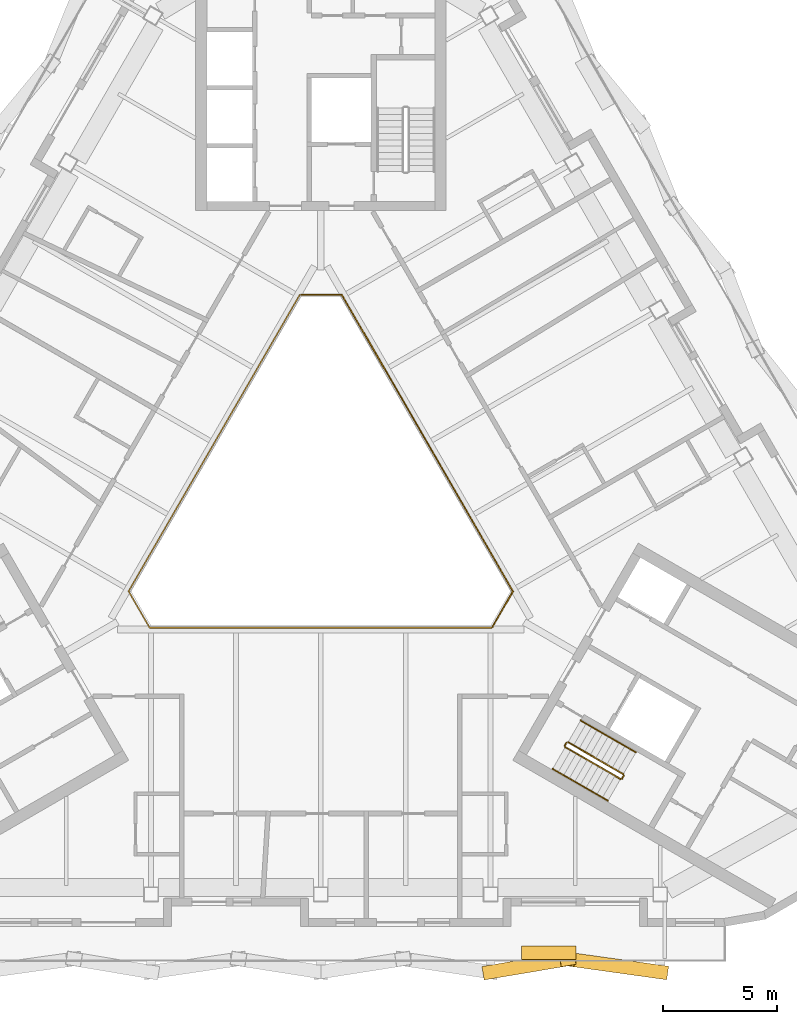
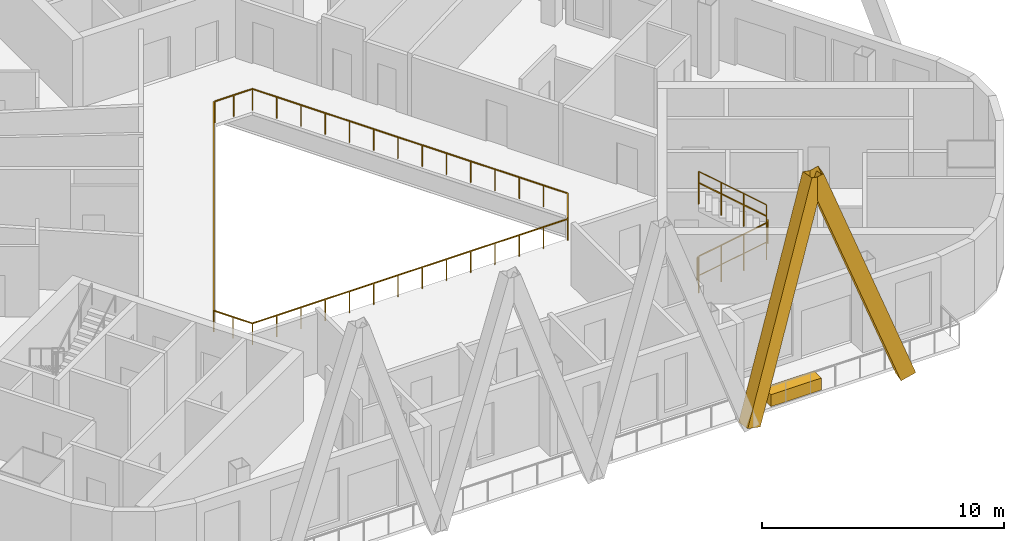
# One storey, part 12 of 14: 8 railings, 2 shading devices, 1 covering.
"""IFC4 building model written with IfcOpenShell, lengths in metres."""

import ifcopenshell
import ifcopenshell.guid

model = None  # the IFC model being written
_history = None  # IfcOwnerHistory: only IFC2X3 demands one
_inside = {}  # id of a spatial element -> (the spatial element, [elements in it])
_under = {}  # id of a project, library or spatial element -> (it, [spatial elements below it])
_declared = {}  # id of a project -> (the project, [libraries it declares])
_typed = {}  # id of a type object -> (the type object, [elements of that type])
_made_of = {}  # id of a material, layer set ... -> (it, [elements and type objects made of it])


def new_model(schema):
    """Start an empty IFC model of exactly this schema.

    Asked for "IFC4X3", IfcOpenShell would pick the latest addendum, in which some entities
    have other attributes; the version numbers below select the first issue.
    IFC2X3 requires an IfcOwnerHistory on every rooted entity: one is made here for all.
    """
    global model, _history
    if schema == "IFC4X3":
        model = ifcopenshell.file(schema_version=(4, 3, 0, 0))
    else:
        model = ifcopenshell.file(schema=schema)
    _inside.clear()
    _under.clear()
    _declared.clear()
    _typed.clear()
    _made_of.clear()
    _history = None
    if model.schema == "IFC2X3":
        org = make("IfcOrganization", Name="unknown")
        user = make(
            "IfcPersonAndOrganization",
            ThePerson=make("IfcPerson", FamilyName="unknown"),
            TheOrganization=org,
        )
        app = make(
            "IfcApplication",
            ApplicationDeveloper=org,
            Version="unknown",
            ApplicationFullName="unknown",
            ApplicationIdentifier="unknown",
        )
        _history = make(
            "IfcOwnerHistory",
            OwningUser=user,
            OwningApplication=app,
            ChangeAction="ADDED",
            CreationDate=0,
        )
    return model


def make(cls, **values):
    """One entity of the class cls with the attributes given. An attribute that is None is left unset."""
    return model.create_entity(
        cls, **{name: value for name, value in values.items() if value is not None}
    )


def rooted(cls, **values):
    """An entity with a GlobalId (a new one), such as an element, a storey or a relation."""
    return make(cls, GlobalId=ifcopenshell.guid.new(), OwnerHistory=_history, **values)


def si_unit(unit_type, name, prefix=None):
    """IfcSIUnit, for example si_unit("LENGTHUNIT", "METRE", prefix="MILLI")."""
    return make("IfcSIUnit", UnitType=unit_type, Prefix=prefix, Name=name)


def assignment(units):
    """IfcUnitAssignment: the units of a project."""
    return None if units is None else make("IfcUnitAssignment", Units=units)


def point(xyz):
    """IfcCartesianPoint."""
    return None if xyz is None else make("IfcCartesianPoint", Coordinates=xyz)


def direction(xyz):
    """IfcDirection."""
    return None if xyz is None else make("IfcDirection", DirectionRatios=xyz)


def frame(location, z_axis=None, x_axis=None):
    """IfcAxis2Placement3D, a coordinate frame: its origin and axes. An axis left out is left unset."""
    return make(
        "IfcAxis2Placement3D",
        Location=point(location),
        Axis=direction(z_axis),
        RefDirection=direction(x_axis),
    )


def frame_2d(location, x_axis=None):
    """IfcAxis2Placement2D, a coordinate frame in the plane: its origin and x axis."""
    return make(
        "IfcAxis2Placement2D", Location=point(location), RefDirection=direction(x_axis)
    )


def origin():
    """The frame at (0, 0, 0) with its axes left unset."""
    return frame((0.0, 0.0, 0.0))


def origin_2d():
    """The frame at (0, 0) in the plane with its x axis left unset."""
    return frame_2d((0.0, 0.0))


def place(relative_to, where):
    """IfcLocalPlacement: puts the frame where relative to a parent placement (None: the world)."""
    return make(
        "IfcLocalPlacement", PlacementRelTo=relative_to, RelativePlacement=where
    )


def context(
    kind, dimensions, precision=None, world=None, true_north=None, identifier=None
):
    """IfcGeometricRepresentationContext, for example the 3D "Model" context."""
    return make(
        "IfcGeometricRepresentationContext",
        ContextIdentifier=identifier,
        ContextType=kind,
        CoordinateSpaceDimension=dimensions,
        Precision=precision,
        WorldCoordinateSystem=world,
        TrueNorth=true_north,
    )


def subcontext(parent, identifier, kind, view, scale=None):
    """IfcGeometricRepresentationSubContext, for example "Body" below "Model"."""
    return make(
        "IfcGeometricRepresentationSubContext",
        ContextIdentifier=identifier,
        ContextType=kind,
        ParentContext=parent,
        TargetScale=scale,
        TargetView=view,
    )


def project(units=None, contexts=None):
    """IfcProject with its units and contexts."""
    return rooted(
        "IfcProject",
        Name="project",
        RepresentationContexts=contexts,
        UnitsInContext=assignment(units),
    )


def spatial(cls, under=None, at=None, **own):
    """A site, building, storey or space (cls), placed at a placement, below another one or the project."""
    s = rooted(cls, ObjectPlacement=at, **own)
    if under is not None:
        _under.setdefault(under.id(), (under, []))[1].append(s)
    return s


def profile(cls, at=None, kind="AREA", **sizes):
    """A parametric profile (cls). Its sizes go by their IFC names, for example OverallWidth=200.0."""
    return make(cls, ProfileType=kind, Position=at, **sizes)


def rectangle(**sizes):
    """IfcRectangleProfileDef."""
    return profile("IfcRectangleProfileDef", **sizes)


def hollow_rectangle(**sizes):
    """IfcRectangleHollowProfileDef."""
    return profile("IfcRectangleHollowProfileDef", **sizes)


def circle(**sizes):
    """IfcCircleProfileDef."""
    return profile("IfcCircleProfileDef", **sizes)


def extrude(swept, where, along, depth):
    """IfcExtrudedAreaSolid: the profile swept, set in the frame where, extruded along a direction by depth."""
    return make(
        "IfcExtrudedAreaSolid",
        SweptArea=swept,
        Position=where,
        ExtrudedDirection=direction(along),
        Depth=depth,
    )


def shape(context_of_items, identifier, shape_type, items):
    """IfcShapeRepresentation: the items that make up one representation, for example the "Body"."""
    return make(
        "IfcShapeRepresentation",
        ContextOfItems=context_of_items,
        RepresentationIdentifier=identifier,
        RepresentationType=shape_type,
        Items=items,
    )


def material(Name=None, Category=None):
    """IfcMaterial."""
    return make("IfcMaterial", Name=Name, Category=Category)


def material_profile(
    of_material, cross_section, Name=None, Category=None, Priority=None
):
    """IfcMaterialProfile: a cross section and its material."""
    return make(
        "IfcMaterialProfile",
        Name=Name,
        Material=of_material,
        Profile=cross_section,
        Priority=Priority,
        Category=Category,
    )


def profile_set(profiles, Name=None, composite=None):
    """IfcMaterialProfileSet."""
    return make(
        "IfcMaterialProfileSet",
        Name=Name,
        MaterialProfiles=profiles,
        CompositeProfile=composite,
    )


def made_of(thing, what):
    """Note that an element or type object is made of a material, layer set ...; save() writes the relation."""
    if what is not None:
        _made_of.setdefault(what.id(), (what, []))[1].append(thing)
    return thing


def type_object(cls, material=None, **own):
    """A type object (cls), such as IfcWallType, which elements share."""
    return made_of(rooted(cls, **own), material)


def element(
    cls,
    number,
    at=None,
    inside=None,
    cuts=None,
    type_object=None,
    material=None,
    context=None,
    identifier="Body",
    shape_type=None,
    held_by="IfcProductDefinitionShape",
    body=None,
    shapes=None,
    **own,
):
    """One element of the class cls, such as IfcWall. Its Tag is "e" and its number.

    at: its placement. inside: the storey or other place that contains it. cuts: it is an
    opening in that element (IfcRelVoidsElement). A single representation is given by context,
    identifier, shape_type and body (its items); several are given by shapes. held_by: the class
    of the entity that holds the representations. save() writes the other relations.
    """
    e = rooted(cls, Tag="e%d" % number, ObjectPlacement=at, **own)
    if body is not None:
        shapes = [shape(context, identifier, shape_type, body)]
    if shapes is not None:
        e.Representation = make(held_by, Representations=shapes)
    if inside is not None:
        _inside.setdefault(inside.id(), (inside, []))[1].append(e)
    if cuts is not None:
        rooted(
            "IfcRelVoidsElement", RelatingBuildingElement=cuts, RelatedOpeningElement=e
        )
    if type_object is not None:
        _typed.setdefault(type_object.id(), (type_object, []))[1].append(e)
    return made_of(e, material)


def aggregate(whole, parts):
    """IfcRelAggregates: a whole, such as a stair, and the parts it consists of."""
    return rooted("IfcRelAggregates", RelatingObject=whole, RelatedObjects=parts)


def save(model, path):
    """Write the relations noted so far, then the file.

    IfcRelAggregates (storeys below a building ...), IfcRelContainedInSpatialStructure (elements
    in a storey), IfcRelDefinesByType, IfcRelAssociatesMaterial and IfcRelDeclares: one each for
    every whole, place, type object, material and project.
    """
    for whole, parts in _under.values():
        aggregate(whole, parts)
    for where, things in _inside.values():
        rooted(
            "IfcRelContainedInSpatialStructure",
            RelatedElements=things,
            RelatingStructure=where,
        )
    for kind, things in _typed.values():
        rooted("IfcRelDefinesByType", RelatedObjects=things, RelatingType=kind)
    for what, things in _made_of.values():
        rooted("IfcRelAssociatesMaterial", RelatedObjects=things, RelatingMaterial=what)
    for by, libraries in _declared.values():
        rooted("IfcRelDeclares", RelatingContext=by, RelatedDefinitions=libraries)
    model.write(path)


model = new_model("IFC4")

# Units and contexts
model_context = context("Model", 3, precision=1e-05, world=origin(), true_north=direction((0.0, 1.0)))
body_context = subcontext(model_context, "Body", "Model", "MODEL_VIEW")
ifc_project = project(units=[si_unit("LENGTHUNIT", "METRE"), si_unit("AREAUNIT", "SQUARE_METRE"), si_unit("VOLUMEUNIT", "CUBIC_METRE"), si_unit("PLANEANGLEUNIT", "RADIAN"), si_unit("MASSUNIT", "GRAM", prefix="KILO")], contexts=[model_context])

# Site, building, storey
site_placement = place(None, origin())
site = spatial("IfcSite", under=ifc_project, at=site_placement, CompositionType="ELEMENT")
building_placement = place(site_placement, origin())
building = spatial("IfcBuilding", under=site, at=building_placement, Name="Apuvela Tower Hotel", CompositionType="ELEMENT")
storey_placement = place(building_placement, frame((0.0, 0.0, 268.89990234375)))
storey = spatial("IfcBuildingStorey", under=building, at=storey_placement, Name="L66", CompositionType="ELEMENT", Elevation=268.89990234375)

# Railings
ifc_material_1 = material(Name="Steel S275 balustrade", Category="steel")
railing_type_1 = type_object("IfcRailingType", Name="COR-GUARD-1100", PredefinedType="GUARDRAIL", material=ifc_material_1)
railing_1_placement = place(storey_placement, frame((10.718994140625, -10.63427734375, 0.168212890625)))
element("IfcRailing", 1, at=railing_1_placement, inside=storey, type_object=railing_type_1, Name="L66 ST3 stair guard 1", PredefinedType="GUARDRAIL", context=body_context, shape_type="SweptSolid", body=[
    extrude(rectangle(XDim=0.048095703125, YDim=0.048095703125, at=origin_2d()), frame((0.0, 0.0, 1.076171875), z_axis=(0.742390482028, -0.42860119049, 0.514934356695), x_axis=(0.49998411664, 0.866034573852, 0.0)), (0.0, 0.0, 1.0), 3.26611328125),
    extrude(rectangle(XDim=0.0419921875, YDim=0.0419921875, at=origin_2d()), origin(), (0.0, 0.0, 1.0), 1.052001953125),
    extrude(rectangle(XDim=0.0419921875, YDim=0.0419921875, at=origin_2d()), frame((0.808349609375, -0.466552734375, 0.560546875)), (0.0, 0.0, 1.0), 1.052001953125),
    extrude(rectangle(XDim=0.0419921875, YDim=0.0419921875, at=origin_2d()), frame((1.616455078125, -0.933349609375, 1.121337890625)), (0.0, 0.0, 1.0), 1.052001953125),
    extrude(rectangle(XDim=0.0419921875, YDim=0.0419921875, at=origin_2d()), frame((2.4248046875, -1.39990234375, 1.681884765625)), (0.0, 0.0, 1.0), 1.052001953125),
])
railing_2_placement = place(storey_placement, frame((13.212158203125, -12.015869140625, 1.85009765625)))
element("IfcRailing", 2, at=railing_2_placement, inside=storey, type_object=railing_type_1, Name="L66 ST3 stair guard 2", PredefinedType="GUARDRAIL", context=body_context, shape_type="SweptSolid", body=[
    extrude(rectangle(XDim=0.048095703125, YDim=0.048095703125, at=origin_2d()), frame((0.0, 0.0, 1.076171875), z_axis=(0.499816412211, 0.866131372301, 0.0), x_axis=(-0.866131372301, 0.499816412211, 0.0)), (0.0, 0.0, 1.0), 0.14990234375),
    extrude(rectangle(XDim=0.0419921875, YDim=0.0419921875, at=origin_2d()), origin(), (0.0, 0.0, 1.0), 1.052001953125),
    extrude(rectangle(XDim=0.0419921875, YDim=0.0419921875, at=origin_2d()), frame((0.074951171875, 0.1298828125, 0.0)), (0.0, 0.0, 1.0), 1.052001953125),
])
railing_3_placement = place(storey_placement, frame((13.268798828125, -11.817626953125, 2.018310546875)))
element("IfcRailing", 3, at=railing_3_placement, inside=storey, type_object=railing_type_1, Name="L66 ST3 stair guard 3", PredefinedType="GUARDRAIL", context=body_context, shape_type="SweptSolid", body=[
    extrude(rectangle(XDim=0.048095703125, YDim=0.048095703125, at=origin_2d()), frame((0.0, 0.0, 1.076171875), z_axis=(-0.742390482028, 0.42860119049, 0.514934356695), x_axis=(-0.49998411664, -0.866034573852, 0.0)), (0.0, 0.0, 1.0), 3.26611328125),
    extrude(rectangle(XDim=0.0419921875, YDim=0.0419921875, at=origin_2d()), origin(), (0.0, 0.0, 1.0), 1.052001953125),
    extrude(rectangle(XDim=0.0419921875, YDim=0.0419921875, at=origin_2d()), frame((-0.808349609375, 0.466552734375, 0.560546875)), (0.0, 0.0, 1.0), 1.052001953125),
    extrude(rectangle(XDim=0.0419921875, YDim=0.0419921875, at=origin_2d()), frame((-1.616455078125, 0.933349609375, 1.121337890625)), (0.0, 0.0, 1.0), 1.052001953125),
    extrude(rectangle(XDim=0.0419921875, YDim=0.0419921875, at=origin_2d()), frame((-2.4248046875, 1.39990234375, 1.681884765625)), (0.0, 0.0, 1.0), 1.052001953125),
])
railing_4_placement = place(storey_placement, frame((10.70068359375, -10.56591796875, 0.0)))
element("IfcRailing", 4, at=railing_4_placement, inside=storey, type_object=railing_type_1, Name="L66 ST3 stair guard 4", PredefinedType="GUARDRAIL", context=body_context, shape_type="SweptSolid", body=[
    extrude(rectangle(XDim=0.048095703125, YDim=0.048095703125, at=origin_2d()), frame((0.0, 0.0, 1.076171875), z_axis=(0.499816412211, 0.866131372301, 0.0), x_axis=(-0.866131372301, 0.499816412211, 0.0)), (0.0, 0.0, 1.0), 0.14990234375),
    extrude(rectangle(XDim=0.0419921875, YDim=0.0419921875, at=origin_2d()), origin(), (0.0, 0.0, 1.0), 1.052001953125),
    extrude(rectangle(XDim=0.0419921875, YDim=0.0419921875, at=origin_2d()), frame((0.074951171875, 0.1298828125, 0.0)), (0.0, 0.0, 1.0), 1.052001953125),
])
ifc_material_2 = material(Name="Stainless steel 316 handrail", Category="steel")
railing_type_2 = type_object("IfcRailingType", Name="COR-HANDRAIL-900", PredefinedType="HANDRAIL", material=ifc_material_2)
railing_5_placement = place(storey_placement, frame((10.1689453125, -11.5869140625, 0.168212890625)))
element("IfcRailing", 5, at=railing_5_placement, inside=storey, type_object=railing_type_2, Name="L66 ST3 stair handrail 1", PredefinedType="HANDRAIL", context=body_context, shape_type="SweptSolid", body=[
    extrude(circle(Radius=0.02392578125, at=origin_2d()), frame((0.0, 0.0, 0.8759765625), z_axis=(0.742390482028, -0.42860119049, 0.514934356695), x_axis=(0.49998411664, 0.866034573852, 0.0)), (0.0, 0.0, 1.0), 3.26611328125),
    extrude(rectangle(XDim=0.0419921875, YDim=0.0419921875, at=origin_2d()), origin(), (0.0, 0.0, 1.0), 0.851806640625),
    extrude(rectangle(XDim=0.0419921875, YDim=0.0419921875, at=origin_2d()), frame((0.808349609375, -0.466552734375, 0.560546875)), (0.0, 0.0, 1.0), 0.851806640625),
    extrude(rectangle(XDim=0.0419921875, YDim=0.0419921875, at=origin_2d()), frame((1.616455078125, -0.933349609375, 1.121337890625)), (0.0, 0.0, 1.0), 0.851806640625),
    extrude(rectangle(XDim=0.0419921875, YDim=0.0419921875, at=origin_2d()), frame((2.4248046875, -1.39990234375, 1.681884765625)), (0.0, 0.0, 1.0), 0.851806640625),
])
railing_6_placement = place(storey_placement, frame((13.81884765625, -10.864990234375, 2.018310546875)))
element("IfcRailing", 6, at=railing_6_placement, inside=storey, type_object=railing_type_2, Name="L66 ST3 stair handrail 2", PredefinedType="HANDRAIL", context=body_context, shape_type="SweptSolid", body=[
    extrude(circle(Radius=0.02392578125, at=origin_2d()), frame((0.0, 0.0, 0.8759765625), z_axis=(-0.742390482028, 0.42860119049, 0.514934356695), x_axis=(-0.49998411664, -0.866034573852, 0.0)), (0.0, 0.0, 1.0), 3.26611328125),
    extrude(rectangle(XDim=0.0419921875, YDim=0.0419921875, at=origin_2d()), origin(), (0.0, 0.0, 1.0), 0.851806640625),
    extrude(rectangle(XDim=0.0419921875, YDim=0.0419921875, at=origin_2d()), frame((-0.808349609375, 0.466552734375, 0.560546875)), (0.0, 0.0, 1.0), 0.851806640625),
    extrude(rectangle(XDim=0.0419921875, YDim=0.0419921875, at=origin_2d()), frame((-1.616455078125, 0.933349609375, 1.121337890625)), (0.0, 0.0, 1.0), 0.851806640625),
    extrude(rectangle(XDim=0.0419921875, YDim=0.0419921875, at=origin_2d()), frame((-2.4248046875, 1.39990234375, 1.681884765625)), (0.0, 0.0, 1.0), 0.851806640625),
])

# Shading devices
ifc_material_3 = material(Name="Aluminium 6063-T6, black anodised", Category="aluminium")
ifc_material_profile = material_profile(ifc_material_3, hollow_rectangle(XDim=0.60009765625, YDim=0.699951171875, WallThickness=0.011962890625, at=origin_2d()), Name="AL BOX 700x600x12")
ifc_profile_set = profile_set([ifc_material_profile], Name="Aluminium 6063-T6, black anodised")
shading_device_type = type_object("IfcShadingDeviceType", Name="ENV-FIN-700x600", PredefinedType="USERDEFINED", material=ifc_profile_set)
shading_device_1_placement = place(storey_placement, frame((7.443603515625, -20.495849609375, -0.099853515625), z_axis=(0.29090724775, 0.048820801656, 0.95550484171), x_axis=(-0.165508034258, 0.986208441759, 0.0)))
element("IfcShadingDevice", 7, at=shading_device_1_placement, inside=storey, type_object=shading_device_type, Name="Lattice fin S551", ObjectType="FIN", PredefinedType="USERDEFINED", context=body_context, shape_type="SweptSolid", body=[
    extrude(hollow_rectangle(XDim=0.60009765625, YDim=0.699951171875, WallThickness=0.011962890625, at=origin_2d()), origin(), (0.0, 0.0, 1.0), 11.61669921875),
])
shading_device_2_placement = place(storey_placement, frame((14.88720703125, -20.495849609375, -0.099853515625), z_axis=(-0.343431703445, 0.047924061218, 0.937954129702), x_axis=(-0.138205532075, -0.990403569715, 0.0)))
element("IfcShadingDevice", 8, at=shading_device_2_placement, inside=storey, type_object=shading_device_type, Name="Lattice fin S552", ObjectType="FIN", PredefinedType="USERDEFINED", context=body_context, shape_type="SweptSolid", body=[
    extrude(hollow_rectangle(XDim=0.60009765625, YDim=0.699951171875, WallThickness=0.011962890625, at=origin_2d()), origin(), (0.0, 0.0, 1.0), 11.834228515625),
])

# Railings
ifc_material_4 = material(Name="Stainless steel 316 rail with laminated glass infill", Category="steel")
railing_type_3 = type_object("IfcRailingType", Name="ENV-GUARD-1100", PredefinedType="GUARDRAIL", material=ifc_material_4)
railing_7_placement = place(storey_placement, frame((-0.923828125, 9.199951171875, 0.0)))
element("IfcRailing", 9, at=railing_7_placement, inside=storey, type_object=railing_type_3, Name="Atrium void guard A L66", PredefinedType="GUARDRAIL", context=body_context, shape_type="SweptSolid", body=[
    extrude(rectangle(XDim=0.050048828125, YDim=0.050048828125, at=origin_2d()), frame((0.0, 0.0, 1.0751953125), z_axis=(-0.499990886379, -0.866030665472, 0.0), x_axis=(0.866030665472, -0.499990886379, 0.0)), (0.0, 0.0, 1.0), 15.010986328125),
    extrude(rectangle(XDim=0.050048828125, YDim=0.050048828125, at=origin_2d()), frame((-7.50537109375, -13.0, 1.0751953125), z_axis=(0.499962699187, -0.866046938348, 0.0), x_axis=(0.866046938348, 0.499962699187, 0.0)), (0.0, 0.0, 1.0), 1.847412109375),
    extrude(rectangle(XDim=0.050048828125, YDim=0.050048828125, at=origin_2d()), frame((-6.581787109375, -14.599853515625, 1.0751953125), z_axis=(1.0, 0.0, 0.0), x_axis=(0.0, 1.0, 0.0)), (0.0, 0.0, 1.0), 15.01123046875),
    extrude(rectangle(XDim=0.0400390625, YDim=0.0400390625, at=origin_2d()), origin(), (0.0, 0.0, 1.0), 1.050048828125),
    extrude(rectangle(XDim=0.0400390625, YDim=0.0400390625, at=origin_2d()), frame((-0.577392578125, -1.0, 0.0)), (0.0, 0.0, 1.0), 1.050048828125),
    extrude(rectangle(XDim=0.0400390625, YDim=0.0400390625, at=origin_2d()), frame((-1.15478515625, -2.0, 0.0)), (0.0, 0.0, 1.0), 1.050048828125),
    extrude(rectangle(XDim=0.0400390625, YDim=0.0400390625, at=origin_2d()), frame((-1.73193359375, -3.0, 0.0)), (0.0, 0.0, 1.0), 1.050048828125),
    extrude(rectangle(XDim=0.0400390625, YDim=0.0400390625, at=origin_2d()), frame((-2.309326171875, -4.0, 0.0)), (0.0, 0.0, 1.0), 1.050048828125),
    extrude(rectangle(XDim=0.0400390625, YDim=0.0400390625, at=origin_2d()), frame((-2.88671875, -5.0, 0.0)), (0.0, 0.0, 1.0), 1.050048828125),
    extrude(rectangle(XDim=0.0400390625, YDim=0.0400390625, at=origin_2d()), frame((-3.464111328125, -6.0, 0.0)), (0.0, 0.0, 1.0), 1.050048828125),
    extrude(rectangle(XDim=0.0400390625, YDim=0.0400390625, at=origin_2d()), frame((-4.041259765625, -7.0, 0.0)), (0.0, 0.0, 1.0), 1.050048828125),
    extrude(rectangle(XDim=0.0400390625, YDim=0.0400390625, at=origin_2d()), frame((-4.61865234375, -8.0, 0.0)), (0.0, 0.0, 1.0), 1.050048828125),
    extrude(rectangle(XDim=0.0400390625, YDim=0.0400390625, at=origin_2d()), frame((-5.196044921875, -9.0, 0.0)), (0.0, 0.0, 1.0), 1.050048828125),
    extrude(rectangle(XDim=0.0400390625, YDim=0.0400390625, at=origin_2d()), frame((-5.7734375, -10.0, 0.0)), (0.0, 0.0, 1.0), 1.050048828125),
    extrude(rectangle(XDim=0.0400390625, YDim=0.0400390625, at=origin_2d()), frame((-6.3505859375, -11.0, 0.0)), (0.0, 0.0, 1.0), 1.050048828125),
    extrude(rectangle(XDim=0.0400390625, YDim=0.0400390625, at=origin_2d()), frame((-6.927978515625, -12.0, 0.0)), (0.0, 0.0, 1.0), 1.050048828125),
    extrude(rectangle(XDim=0.0400390625, YDim=0.0400390625, at=origin_2d()), frame((-7.50537109375, -13.0, 0.0)), (0.0, 0.0, 1.0), 1.050048828125),
    extrude(rectangle(XDim=0.0400390625, YDim=0.0400390625, at=origin_2d()), frame((-7.04345703125, -13.7998046875, 0.0)), (0.0, 0.0, 1.0), 1.050048828125),
    extrude(rectangle(XDim=0.0400390625, YDim=0.0400390625, at=origin_2d()), frame((-6.581787109375, -14.599853515625, 0.0)), (0.0, 0.0, 1.0), 1.050048828125),
    extrude(rectangle(XDim=0.0400390625, YDim=0.0400390625, at=origin_2d()), frame((-5.427001953125, -14.599853515625, 0.0)), (0.0, 0.0, 1.0), 1.050048828125),
    extrude(rectangle(XDim=0.0400390625, YDim=0.0400390625, at=origin_2d()), frame((-4.2724609375, -14.599853515625, 0.0)), (0.0, 0.0, 1.0), 1.050048828125),
    extrude(rectangle(XDim=0.0400390625, YDim=0.0400390625, at=origin_2d()), frame((-3.11767578125, -14.599853515625, 0.0)), (0.0, 0.0, 1.0), 1.050048828125),
    extrude(rectangle(XDim=0.0400390625, YDim=0.0400390625, at=origin_2d()), frame((-1.962890625, -14.599853515625, 0.0)), (0.0, 0.0, 1.0), 1.050048828125),
    extrude(rectangle(XDim=0.0400390625, YDim=0.0400390625, at=origin_2d()), frame((-0.808349609375, -14.599853515625, 0.0)), (0.0, 0.0, 1.0), 1.050048828125),
    extrude(rectangle(XDim=0.0400390625, YDim=0.0400390625, at=origin_2d()), frame((0.346435546875, -14.599853515625, 0.0)), (0.0, 0.0, 1.0), 1.050048828125),
    extrude(rectangle(XDim=0.0400390625, YDim=0.0400390625, at=origin_2d()), frame((1.501220703125, -14.599853515625, 0.0)), (0.0, 0.0, 1.0), 1.050048828125),
    extrude(rectangle(XDim=0.0400390625, YDim=0.0400390625, at=origin_2d()), frame((2.656005859375, -14.599853515625, 0.0)), (0.0, 0.0, 1.0), 1.050048828125),
    extrude(rectangle(XDim=0.0400390625, YDim=0.0400390625, at=origin_2d()), frame((3.810546875, -14.599853515625, 0.0)), (0.0, 0.0, 1.0), 1.050048828125),
    extrude(rectangle(XDim=0.0400390625, YDim=0.0400390625, at=origin_2d()), frame((4.96533203125, -14.599853515625, 0.0)), (0.0, 0.0, 1.0), 1.050048828125),
    extrude(rectangle(XDim=0.0400390625, YDim=0.0400390625, at=origin_2d()), frame((6.1201171875, -14.599853515625, 0.0)), (0.0, 0.0, 1.0), 1.050048828125),
    extrude(rectangle(XDim=0.0400390625, YDim=0.0400390625, at=origin_2d()), frame((7.274658203125, -14.599853515625, 0.0)), (0.0, 0.0, 1.0), 1.050048828125),
    extrude(rectangle(XDim=0.0400390625, YDim=0.0400390625, at=origin_2d()), frame((8.429443359375, -14.599853515625, 0.0)), (0.0, 0.0, 1.0), 1.050048828125),
])
railing_8_placement = place(storey_placement, frame((7.53564453125, -5.347900390625, 0.0)))
element("IfcRailing", 10, at=railing_8_placement, inside=storey, type_object=railing_type_3, Name="Atrium void guard B L66", PredefinedType="GUARDRAIL", context=body_context, shape_type="SweptSolid", body=[
    extrude(rectangle(XDim=0.050048828125, YDim=0.050048828125, at=origin_2d()), frame((0.0, 0.0, 1.0751953125), z_axis=(0.499958946799, 0.866049104564, 0.0), x_axis=(-0.866049104564, 0.499958946799, 0.0)), (0.0, 0.0, 1.0), 1.787353515625),
    extrude(rectangle(XDim=0.050048828125, YDim=0.050048828125, at=origin_2d()), frame((0.8935546875, 1.5478515625, 1.0751953125), z_axis=(-0.499990886379, 0.866030665472, 0.0), x_axis=(-0.866030665472, -0.499990886379, 0.0)), (0.0, 0.0, 1.0), 15.010986328125),
    extrude(rectangle(XDim=0.050048828125, YDim=0.050048828125, at=origin_2d()), frame((-6.61181640625, 14.5478515625, 1.0751953125), z_axis=(-1.0, 0.0, 0.0), x_axis=(0.0, -1.0, 0.0)), (0.0, 0.0, 1.0), 1.78759765625),
    extrude(rectangle(XDim=0.0400390625, YDim=0.0400390625, at=origin_2d()), origin(), (0.0, 0.0, 1.0), 1.050048828125),
    extrude(rectangle(XDim=0.0400390625, YDim=0.0400390625, at=origin_2d()), frame((0.44677734375, 0.77392578125, 0.0)), (0.0, 0.0, 1.0), 1.050048828125),
    extrude(rectangle(XDim=0.0400390625, YDim=0.0400390625, at=origin_2d()), frame((0.8935546875, 1.5478515625, 0.0)), (0.0, 0.0, 1.0), 1.050048828125),
    extrude(rectangle(XDim=0.0400390625, YDim=0.0400390625, at=origin_2d()), frame((0.316162109375, 2.5478515625, 0.0)), (0.0, 0.0, 1.0), 1.050048828125),
    extrude(rectangle(XDim=0.0400390625, YDim=0.0400390625, at=origin_2d()), frame((-0.26123046875, 3.5478515625, 0.0)), (0.0, 0.0, 1.0), 1.050048828125),
    extrude(rectangle(XDim=0.0400390625, YDim=0.0400390625, at=origin_2d()), frame((-0.83837890625, 4.5478515625, 0.0)), (0.0, 0.0, 1.0), 1.050048828125),
    extrude(rectangle(XDim=0.0400390625, YDim=0.0400390625, at=origin_2d()), frame((-1.415771484375, 5.5478515625, 0.0)), (0.0, 0.0, 1.0), 1.050048828125),
    extrude(rectangle(XDim=0.0400390625, YDim=0.0400390625, at=origin_2d()), frame((-1.9931640625, 6.5478515625, 0.0)), (0.0, 0.0, 1.0), 1.050048828125),
    extrude(rectangle(XDim=0.0400390625, YDim=0.0400390625, at=origin_2d()), frame((-2.570556640625, 7.5478515625, 0.0)), (0.0, 0.0, 1.0), 1.050048828125),
    extrude(rectangle(XDim=0.0400390625, YDim=0.0400390625, at=origin_2d()), frame((-3.147705078125, 8.5478515625, 0.0)), (0.0, 0.0, 1.0), 1.050048828125),
    extrude(rectangle(XDim=0.0400390625, YDim=0.0400390625, at=origin_2d()), frame((-3.72509765625, 9.5478515625, 0.0)), (0.0, 0.0, 1.0), 1.050048828125),
    extrude(rectangle(XDim=0.0400390625, YDim=0.0400390625, at=origin_2d()), frame((-4.302490234375, 10.5478515625, 0.0)), (0.0, 0.0, 1.0), 1.050048828125),
    extrude(rectangle(XDim=0.0400390625, YDim=0.0400390625, at=origin_2d()), frame((-4.8798828125, 11.5478515625, 0.0)), (0.0, 0.0, 1.0), 1.050048828125),
    extrude(rectangle(XDim=0.0400390625, YDim=0.0400390625, at=origin_2d()), frame((-5.45703125, 12.5478515625, 0.0)), (0.0, 0.0, 1.0), 1.050048828125),
    extrude(rectangle(XDim=0.0400390625, YDim=0.0400390625, at=origin_2d()), frame((-6.034423828125, 13.5478515625, 0.0)), (0.0, 0.0, 1.0), 1.050048828125),
    extrude(rectangle(XDim=0.0400390625, YDim=0.0400390625, at=origin_2d()), frame((-6.61181640625, 14.5478515625, 0.0)), (0.0, 0.0, 1.0), 1.050048828125),
    extrude(rectangle(XDim=0.0400390625, YDim=0.0400390625, at=origin_2d()), frame((-7.505615234375, 14.5478515625, 0.0)), (0.0, 0.0, 1.0), 1.050048828125),
    extrude(rectangle(XDim=0.0400390625, YDim=0.0400390625, at=origin_2d()), frame((-8.3994140625, 14.5478515625, 0.0)), (0.0, 0.0, 1.0), 1.050048828125),
])

# Covering
ifc_material_5 = material(Name="Planting substrate and soil, planted")
covering_type = type_object("IfcCoveringType", Name="ENV-PLANTER-2400x600", PredefinedType="USERDEFINED", material=ifc_material_5)
covering_placement = place(storey_placement, frame((9.99365234375, -19.645751953125, 0.0), z_axis=(0.0, 0.0, 1.0), x_axis=(1.0, 0.0, 0.0)))
element("IfcCovering", 11, at=covering_placement, inside=storey, type_object=covering_type, Name="Planter S2", ObjectType="PLANTER", PredefinedType="USERDEFINED", context=body_context, shape_type="SweptSolid", body=[
    extrude(rectangle(XDim=2.39990234375, YDim=0.60009765625, at=origin_2d()), origin(), (0.0, 0.0, 1.0), 0.60009765625),
])

save(model, "model.ifc")
